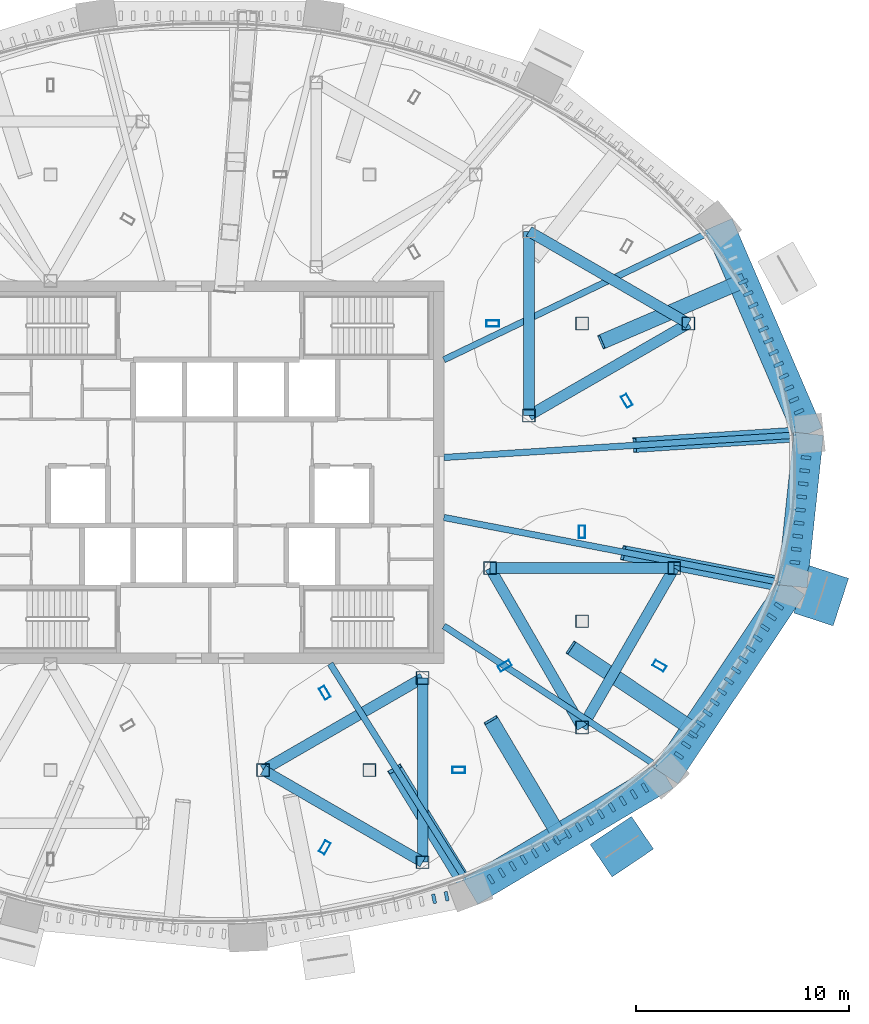
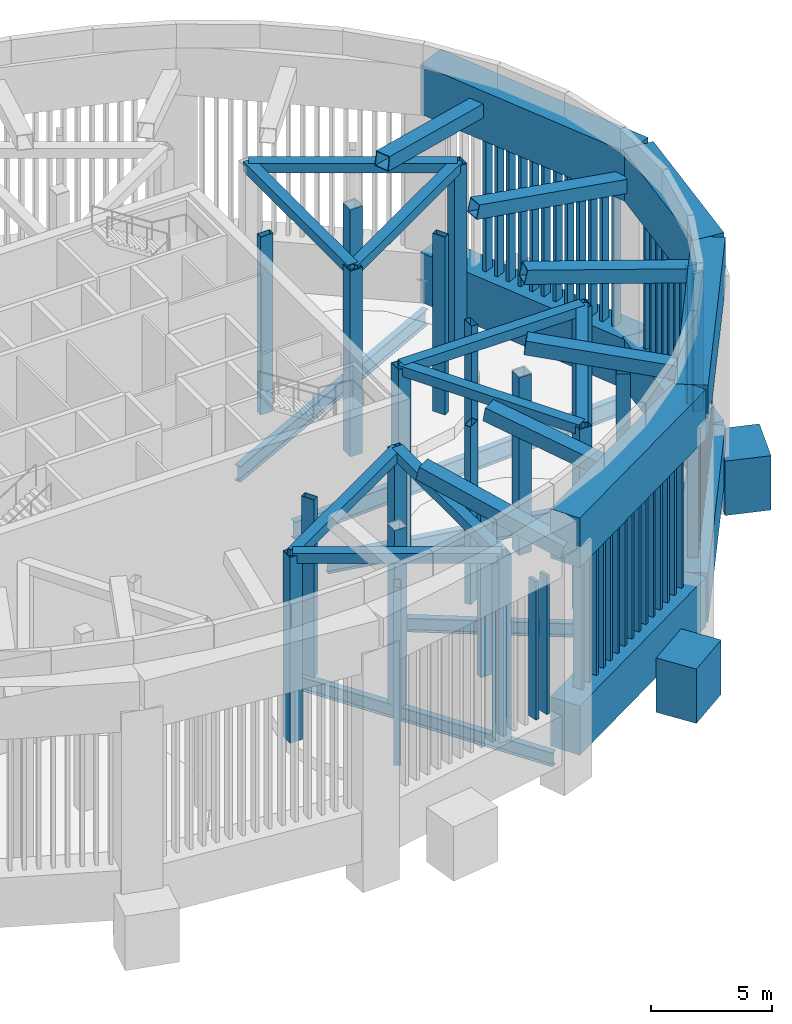
# One storey, part 3 of 14: 80 members, 22 beams.
"""IFC4 building model written with IfcOpenShell, lengths in metres."""

from ifc_helpers import new_model, si_unit, direction, frame, origin, origin_2d, place, context, subcontext, project, spatial, rectangle, hollow_rectangle, i_section, extrude, source, transform, mapped, material, material_profile, profile_set, type_object, element, save


model = new_model("IFC4")

# Units and contexts
model_context = context("Model", 3, precision=1e-05, world=origin(), true_north=direction((0.0, 1.0)))
body_context = subcontext(model_context, "Body", "Model", "MODEL_VIEW")
ifc_project = project(units=[si_unit("LENGTHUNIT", "METRE"), si_unit("AREAUNIT", "SQUARE_METRE"), si_unit("VOLUMEUNIT", "CUBIC_METRE"), si_unit("PLANEANGLEUNIT", "RADIAN"), si_unit("MASSUNIT", "GRAM", prefix="KILO")], contexts=[model_context])

# Site, building, storey
site_placement = place(None, origin())
site = spatial("IfcSite", under=ifc_project, at=site_placement, CompositionType="ELEMENT")
building_placement = place(site_placement, origin())
building = spatial("IfcBuilding", under=site, at=building_placement, Name="Embergate Tower", CompositionType="ELEMENT")
storey_placement = place(building_placement, frame((0.0, 0.0, 340.0)))
storey = spatial("IfcBuildingStorey", under=building, at=storey_placement, Name="L79", CompositionType="ELEMENT", Elevation=340.0)

# Beams
ifc_material_1 = material(Name="Steel Q355B", Category="steel")
ifc_material_profile_1 = material_profile(ifc_material_1, i_section(OverallWidth=0.300048828125, OverallDepth=0.89990234375, WebThickness=0.01611328125, FlangeThickness=0.028076171875, FilletRadius=0.028076171875, at=origin_2d()), Name="HN 900x300x16x28")
ifc_profile_set_1 = profile_set([ifc_material_profile_1], Name="Steel Q355 grade B")
beam_type_1 = type_object("IfcBeamType", Name="Plant girder HN 900x300x16x28", PredefinedType="BEAM", material=ifc_profile_set_1)
shared_shape_1 = source(origin(), body_context, "Body", "SweptSolid", [
    extrude(i_section(OverallWidth=0.300048828125, OverallDepth=0.89990234375, WebThickness=0.01611328125, FlangeThickness=0.028076171875, FilletRadius=0.028076171875, at=origin_2d()), origin(), (0.0, 0.0, 1.0), 16.58544921875),
])
beam_1_placement = place(storey_placement, frame((27.552001953125, 1.7509765625, -0.75), z_axis=(-0.997986328118, -0.063429400827, 0.0), x_axis=(0.063429400827, -0.997986328118, 0.0)))
element("IfcBeam", 1, at=beam_1_placement, inside=storey, type_object=beam_type_1, Name="GIR-L79-00", PredefinedType="BEAM", context=body_context, shape_type="MappedRepresentation", body=[
    mapped(shared_shape_1, transform((0.0, 0.0, 0.0))),
])
ifc_material_profile_2 = material_profile(ifc_material_1, i_section(OverallWidth=0.300048828125, OverallDepth=0.800048828125, WebThickness=0.013916015625, FlangeThickness=0.02587890625, FilletRadius=0.028076171875, at=origin_2d()), Name="HN 800x300x14x26")
ifc_profile_set_2 = profile_set([ifc_material_profile_2], Name="Steel Q355 grade B")
beam_type_2 = type_object("IfcBeamType", Name="Plant girder HN 800x300x14x26", PredefinedType="BEAM", material=ifc_profile_set_2)
shared_shape_2 = source(origin(), body_context, "Body", "SweptSolid", [
    extrude(i_section(OverallWidth=0.300048828125, OverallDepth=0.800048828125, WebThickness=0.013916015625, FlangeThickness=0.02587890625, FilletRadius=0.028076171875, at=origin_2d()), origin(), (0.0, 0.0, 1.0), 13.80419921875),
])
beam_2_placement = place(storey_placement, frame((23.43994140625, 11.27587890625, -0.699951171875), z_axis=(-0.901163418576, -0.433479518571, 0.0), x_axis=(0.433479518571, -0.901163418576, 0.0)))
element("IfcBeam", 2, at=beam_2_placement, inside=storey, type_object=beam_type_2, Name="GIR-L79-03", PredefinedType="BEAM", context=body_context, shape_type="MappedRepresentation", body=[
    mapped(shared_shape_2, transform((0.0, 0.0, 0.0))),
])
ifc_material_profile_3 = material_profile(ifc_material_1, i_section(OverallWidth=0.300048828125, OverallDepth=0.699951171875, WebThickness=0.012939453125, FlangeThickness=0.02392578125, FilletRadius=0.01806640625, at=origin_2d()), Name="HN 700x300x13x24")
ifc_profile_set_3 = profile_set([ifc_material_profile_3], Name="Steel Q355 grade B")
beam_type_3 = type_object("IfcBeamType", Name="Plant girder HN 700x300x13x24", PredefinedType="BEAM", material=ifc_profile_set_3)
shared_shape_3 = source(origin(), body_context, "Body", "SweptSolid", [
    extrude(i_section(OverallWidth=0.300048828125, OverallDepth=0.699951171875, WebThickness=0.012939453125, FlangeThickness=0.02392578125, FilletRadius=0.01806640625, at=origin_2d()), origin(), (0.0, 0.0, 1.0), 11.984375),
])
beam_3_placement = place(storey_placement, frame((12.02587890625, -19.14892578125, -0.64990234375), z_axis=(-0.531839826128, 0.846844967715, 0.0), x_axis=(-0.846844967715, -0.531839826128, 0.0)))
element("IfcBeam", 3, at=beam_3_placement, inside=storey, type_object=beam_type_3, Name="GIR-L79-36", PredefinedType="BEAM", context=body_context, shape_type="MappedRepresentation", body=[
    mapped(shared_shape_3, transform((0.0, 0.0, 0.0))),
])
shared_shape_4 = source(origin(), body_context, "Body", "SweptSolid", [
    extrude(i_section(OverallWidth=0.300048828125, OverallDepth=0.699951171875, WebThickness=0.012939453125, FlangeThickness=0.02392578125, FilletRadius=0.01806640625, at=origin_2d()), origin(), (0.0, 0.0, 1.0), 11.99169921875),
])
beam_4_placement = place(storey_placement, frame((21.02197265625, -13.81201171875, -0.64990234375), z_axis=(-0.835740183646, 0.549125072675, 0.0), x_axis=(-0.549125072675, -0.835740183646, 0.0)))
element("IfcBeam", 4, at=beam_4_placement, inside=storey, type_object=beam_type_3, Name="GIR-L79-39", PredefinedType="BEAM", context=body_context, shape_type="MappedRepresentation", body=[
    mapped(shared_shape_4, transform((0.0, 0.0, 0.0))),
])
shared_shape_5 = source(origin(), body_context, "Body", "SweptSolid", [
    extrude(i_section(OverallWidth=0.300048828125, OverallDepth=0.89990234375, WebThickness=0.01611328125, FlangeThickness=0.028076171875, FilletRadius=0.028076171875, at=origin_2d()), origin(), (0.0, 0.0, 1.0), 16.107421875),
])
beam_5_placement = place(storey_placement, frame((26.81591796875, -5.173095703125, -0.75), z_axis=(-0.981896875456, 0.189416276938, 0.0), x_axis=(-0.189416276938, -0.981896875456, 0.0)))
element("IfcBeam", 5, at=beam_5_placement, inside=storey, type_object=beam_type_1, Name="GIR-L79-42", PredefinedType="BEAM", context=body_context, shape_type="MappedRepresentation", body=[
    mapped(shared_shape_5, transform((0.0, 0.0, 0.0))),
])

# Members
ifc_material_2 = material(Name="Concrete C70", Category="concrete")
ifc_material_profile_4 = material_profile(ifc_material_2, rectangle(XDim=1.85009765625, YDim=2.35009765625, at=origin_2d()), Name="RC 1850x2350")
ifc_profile_set_4 = profile_set([ifc_material_profile_4], Name="Concrete C70")
member_type_1 = type_object("IfcMemberType", Name="Lattice node block RC 1850x2350", PredefinedType="POST", material=ifc_profile_set_4)
shared_shape_6 = source(origin(), body_context, "Body", "SweptSolid", [
    extrude(rectangle(XDim=1.85009765625, YDim=2.35009765625, at=origin_2d()), origin(), (0.0, 0.0, 1.0), 2.75),
])
member_1_placement = place(storey_placement, frame((19.365966796875, -17.60400390625, -1.375), z_axis=(0.0, 0.0, 1.0), x_axis=(0.560393279442, -0.828226643109, 0.0)))
element("IfcMember", 6, at=member_1_placement, inside=storey, type_object=member_type_1, Name="NOD-L79-38", PredefinedType="POST", context=body_context, shape_type="MappedRepresentation", body=[
    mapped(shared_shape_6, transform((0.0, 0.0, 0.0))),
])
ifc_material_profile_5 = material_profile(ifc_material_2, rectangle(XDim=1.949951171875, YDim=2.35009765625, at=origin_2d()), Name="RC 1950x2350")
ifc_profile_set_5 = profile_set([ifc_material_profile_5], Name="Concrete C70")
member_type_2 = type_object("IfcMemberType", Name="Lattice node block RC 1950x2350", PredefinedType="POST", material=ifc_profile_set_5)
shared_shape_7 = source(origin(), body_context, "Body", "SweptSolid", [
    extrude(rectangle(XDim=1.949951171875, YDim=2.35009765625, at=origin_2d()), origin(), (0.0, 0.0, 1.0), 2.75),
])
member_2_placement = place(storey_placement, frame((28.740966796875, -5.800048828125, -1.375), z_axis=(0.0, 0.0, 1.0), x_axis=(0.950754033697, -0.309946394413, 0.0)))
element("IfcMember", 7, at=member_2_placement, inside=storey, type_object=member_type_2, Name="NOD-L79-42", PredefinedType="POST", context=body_context, shape_type="MappedRepresentation", body=[
    mapped(shared_shape_7, transform((0.0, 0.0, 0.0))),
])
ifc_material_3 = material(Name="Steel Q355D", Category="steel")
ifc_material_profile_6 = material_profile(ifc_material_3, hollow_rectangle(XDim=0.699951171875, YDim=0.699951171875, WallThickness=0.031982421875, at=origin_2d()), Name="BOX 700x700x32")
ifc_profile_set_6 = profile_set([ifc_material_profile_6], Name="Steel Q355 grade D")
member_type_3 = type_object("IfcMemberType", Name="Glass point bearing strut BOX 700x700x32", PredefinedType="STRUT", material=ifc_profile_set_6)
shared_shape_8 = source(origin(), body_context, "Body", "SweptSolid", [
    extrude(hollow_rectangle(XDim=0.699951171875, YDim=0.699951171875, WallThickness=0.031982421875, at=origin_2d()), origin(), (0.0, 0.0, 1.0), 8.42724609375),
])
member_3_placement = place(storey_placement, frame((28.197998046875, 1.820068359375, 10.25), z_axis=(-0.976115636413, -0.063849909855, 0.207657057096), x_axis=(0.065272745383, -0.997867460493, 0.0)))
element("IfcMember", 8, at=member_3_placement, inside=storey, type_object=member_type_3, Name="CRN-L79-BS00", PredefinedType="STRUT", context=body_context, shape_type="MappedRepresentation", body=[
    mapped(shared_shape_8, transform((0.0, 0.0, 0.0))),
])
shared_shape_9 = source(origin(), body_context, "Body", "SweptSolid", [
    extrude(hollow_rectangle(XDim=0.699951171875, YDim=0.699951171875, WallThickness=0.031982421875, at=origin_2d()), origin(), (0.0, 0.0, 1.0), 7.3681640625),
])
member_4_placement = place(storey_placement, frame((25.095947265625, 9.013916015625, 10.89990234375), z_axis=(-0.907960894599, -0.391554408126, 0.149305590507), x_axis=(0.395993054433, -0.91825350576, 0.0)))
element("IfcMember", 9, at=member_4_placement, inside=storey, type_object=member_type_3, Name="CRN-L79-BS01", PredefinedType="STRUT", context=body_context, shape_type="MappedRepresentation", body=[
    mapped(shared_shape_9, transform((0.0, 0.0, 0.0))),
])
shared_shape_10 = source(origin(), body_context, "Body", "SweptSolid", [
    extrude(hollow_rectangle(XDim=0.699951171875, YDim=0.699951171875, WallThickness=0.031982421875, at=origin_2d()), origin(), (0.0, 0.0, 1.0), 7.031005859375),
])
member_5_placement = place(storey_placement, frame((12.251953125, -19.758056640625, 10.25), z_axis=(-0.506329140877, 0.825640811396, 0.248893655315), x_axis=(-0.852467257379, -0.522780618517, 0.0)))
element("IfcMember", 10, at=member_5_placement, inside=storey, type_object=member_type_3, Name="CRN-L79-BS18", PredefinedType="STRUT", context=body_context, shape_type="MappedRepresentation", body=[
    mapped(shared_shape_10, transform((0.0, 0.0, 0.0))),
])
shared_shape_11 = source(origin(), body_context, "Body", "SweptSolid", [
    extrude(hollow_rectangle(XDim=0.699951171875, YDim=0.699951171875, WallThickness=0.031982421875, at=origin_2d()), origin(), (0.0, 0.0, 1.0), 6.578857421875),
])
member_6_placement = place(storey_placement, frame((16.51708984375, -17.22705078125, 10.89990234375), z_axis=(-0.503131040562, 0.847878596751, 0.167215553088), x_axis=(-0.859986901622, -0.510316106976, 0.0)))
element("IfcMember", 11, at=member_6_placement, inside=storey, type_object=member_type_3, Name="CRN-L79-BS19", PredefinedType="STRUT", context=body_context, shape_type="MappedRepresentation", body=[
    mapped(shared_shape_11, transform((0.0, 0.0, 0.0))),
])
shared_shape_12 = source(origin(), body_context, "Body", "SweptSolid", [
    extrude(hollow_rectangle(XDim=0.699951171875, YDim=0.699951171875, WallThickness=0.031982421875, at=origin_2d()), origin(), (0.0, 0.0, 1.0), 7.181640625),
])
member_7_placement = place(storey_placement, frame((22.866943359375, -12.18994140625, 10.89990234375), z_axis=(-0.820988647415, 0.550011400684, 0.153183223406), x_axis=(-0.556580270055, -0.830793839039, 0.0)))
element("IfcMember", 12, at=member_7_placement, inside=storey, type_object=member_type_3, Name="CRN-L79-BS20", PredefinedType="STRUT", context=body_context, shape_type="MappedRepresentation", body=[
    mapped(shared_shape_12, transform((0.0, 0.0, 0.0))),
])
shared_shape_13 = source(origin(), body_context, "Body", "SweptSolid", [
    extrude(hollow_rectangle(XDim=0.699951171875, YDim=0.699951171875, WallThickness=0.031982421875, at=origin_2d()), origin(), (0.0, 0.0, 1.0), 8.3427734375),
])
member_8_placement = place(storey_placement, frame((27.43408203125, -5.3740234375, 10.25), z_axis=(-0.959041606409, 0.190362676971, 0.209764745354), x_axis=(-0.194694256891, -0.980863979527, 0.0)))
element("IfcMember", 13, at=member_8_placement, inside=storey, type_object=member_type_3, Name="CRN-L79-BS21", PredefinedType="STRUT", context=body_context, shape_type="MappedRepresentation", body=[
    mapped(shared_shape_13, transform((0.0, 0.0, 0.0))),
])
ifc_material_profile_7 = material_profile(ifc_material_3, hollow_rectangle(XDim=0.60009765625, YDim=0.60009765625, WallThickness=0.028076171875, at=origin_2d()), Name="BOX 600x600x28")
ifc_profile_set_7 = profile_set([ifc_material_profile_7], Name="Steel Q355 grade D")
member_type_4 = type_object("IfcMemberType", Name="Turbine frame post BOX 600x600x28", PredefinedType="POST", material=ifc_profile_set_7)
shared_shape_14 = source(origin(), body_context, "Body", "SweptSolid", [
    extrude(hollow_rectangle(XDim=0.60009765625, YDim=0.60009765625, WallThickness=0.028076171875, at=origin_2d()), origin(), (0.0, 0.0, 1.0), 9.39990234375),
])
for number, where, z_axis, x_axis, name in (
    (14, (15.0, 2.669921875, 0.60009765625), (0.0, 0.0, 1.0), (1.0, 0.0, 0.0), "TUR-L79-PS012"),
    (15, (22.5, 7.0, 0.60009765625), (0.0, 0.0, 1.0), (1.0, 0.0, 0.0), "TUR-L79-PS013"),
    (16, (13.169921875, -4.5, 0.60009765625), (0.0, 0.0, 1.0), (1.0, 0.0, 0.0), "TUR-L79-PS021"),
    (17, (17.5, -12.0, 0.60009765625), (0.0, 0.0, 1.0), (1.0, 0.0, 0.0), "TUR-L79-PS022"),
    (18, (21.830078125, -4.5, 0.60009765625), (0.0, 0.0, 1.0), (1.0, 0.0, 0.0), "TUR-L79-PS023"),
    (19, (10.0, -18.330078125, 0.60009765625), (0.0, 0.0, 1.0), (1.0, 0.0, 0.0), "TUR-L79-PS071"),
    (20, (10.0, -9.669921875, 0.60009765625), (0.0, 0.0, 1.0), (1.0, 0.0, 0.0), "TUR-L79-PS072"),
    (21, (2.5, -14.0, 0.60009765625), (0.0, 0.0, 1.0), (1.0, 0.0, 0.0), "TUR-L79-PS073"),
):
    element("IfcMember", number, at=place(storey_placement, frame(where, z_axis=z_axis, x_axis=x_axis)), inside=storey, type_object=member_type_4, Name=name, PredefinedType="POST", context=body_context, shape_type="MappedRepresentation", body=[
        mapped(shared_shape_14, transform((0.0, 0.0, 0.0))),
    ])

# Beams
ifc_material_profile_8 = material_profile(ifc_material_3, hollow_rectangle(XDim=0.5, YDim=0.5, WallThickness=0.02490234375, at=origin_2d()), Name="BOX 500x500x25")
ifc_profile_set_8 = profile_set([ifc_material_profile_8], Name="Steel Q355 grade D")
beam_type_4 = type_object("IfcBeamType", Name="Turbine frame head beam BOX 500x500x25", PredefinedType="BEAM", material=ifc_profile_set_8)
shared_shape_15 = source(origin(), body_context, "Body", "SweptSolid", [
    extrude(hollow_rectangle(XDim=0.5, YDim=0.5, WallThickness=0.02490234375, at=origin_2d()), origin(), (0.0, 0.0, 1.0), 8.66015625),
])
for number, where, z_axis, x_axis, name in (
    (22, (15.0, 11.330078125, 9.85009765625), (0.0, -1.0, 0.0), (1.0, 0.0, 0.0), "TUR-L79-HB011"),
    (23, (15.0, 2.669921875, 9.85009765625), (0.866027848477, 0.499995765644, 0.0), (-0.499995765644, 0.866027848477, 0.0), "TUR-L79-HB012"),
    (24, (22.5, 7.0, 9.85009765625), (-0.866027848477, 0.499995765644, 0.0), (-0.499995765644, -0.866027848477, 0.0), "TUR-L79-HB013"),
    (25, (13.169921875, -4.5, 9.85009765625), (0.499995765644, -0.866027848477, 0.0), (0.866027848477, 0.499995765644, 0.0), "TUR-L79-HB021"),
    (26, (17.5, -12.0, 9.85009765625), (0.499995765644, 0.866027848477, 0.0), (-0.866027848477, 0.499995765644, 0.0), "TUR-L79-HB022"),
    (27, (21.830078125, -4.5, 9.85009765625), (-1.0, 0.0, 0.0), (0.0, -1.0, 0.0), "TUR-L79-HB023"),
    (28, (10.0, -18.330078125, 9.85009765625), (0.0, 1.0, 0.0), (-1.0, 0.0, 0.0), "TUR-L79-HB071"),
    (29, (10.0, -9.669921875, 9.85009765625), (-0.866027848477, -0.499995765644, 0.0), (0.499995765644, -0.866027848477, 0.0), "TUR-L79-HB072"),
    (30, (2.5, -14.0, 9.85009765625), (0.866027848477, -0.499995765644, 0.0), (0.499995765644, 0.866027848477, 0.0), "TUR-L79-HB073"),
):
    element("IfcBeam", number, at=place(storey_placement, frame(where, z_axis=z_axis, x_axis=x_axis)), inside=storey, type_object=beam_type_4, Name=name, PredefinedType="BEAM", context=body_context, shape_type="MappedRepresentation", body=[
        mapped(shared_shape_15, transform((0.0, 0.0, 0.0))),
    ])

# Members
ifc_material_profile_9 = material_profile(ifc_material_3, hollow_rectangle(XDim=0.60009765625, YDim=0.60009765625, WallThickness=0.028076171875, at=origin_2d()), Name="BOX 600x600x28")
ifc_profile_set_9 = profile_set([ifc_material_profile_9], Name="Steel Q355 grade D")
member_type_5 = type_object("IfcMemberType", Name="Turbine rotor shaft BOX 600x600x28", PredefinedType="POST", material=ifc_profile_set_9)
shared_shape_16 = source(origin(), body_context, "Body", "SweptSolid", [
    extrude(hollow_rectangle(XDim=0.60009765625, YDim=0.60009765625, WallThickness=0.028076171875, at=origin_2d()), origin(), (0.0, 0.0, 1.0), 9.0),
])
for number, where, z_axis, x_axis, name in (
    (31, (17.5, 7.0, 0.60009765625), (0.0, 0.0, 1.0), (1.0, 0.0, 0.0), "TUR-L79-SH01"),
    (32, (17.5, -7.0, 0.60009765625), (0.0, 0.0, 1.0), (1.0, 0.0, 0.0), "TUR-L79-SH02"),
    (33, (7.5, -14.0, 0.60009765625), (0.0, 0.0, 1.0), (1.0, 0.0, 0.0), "TUR-L79-SH07"),
):
    element("IfcMember", number, at=place(storey_placement, frame(where, z_axis=z_axis, x_axis=x_axis)), inside=storey, type_object=member_type_5, Name=name, PredefinedType="POST", context=body_context, shape_type="MappedRepresentation", body=[
        mapped(shared_shape_16, transform((0.0, 0.0, 0.0))),
    ])
ifc_material_profile_10 = material_profile(ifc_material_3, hollow_rectangle(XDim=0.300048828125, YDim=0.60009765625, WallThickness=0.01611328125, at=origin_2d()), Name="BOX 600x300x16")
ifc_profile_set_10 = profile_set([ifc_material_profile_10], Name="Steel Q355 grade D")
member_type_6 = type_object("IfcMemberType", Name="Turbine rotor blade BOX 600x300x16", PredefinedType="POST", material=ifc_profile_set_10)
shared_shape_17 = source(origin(), body_context, "Body", "SweptSolid", [
    extrude(hollow_rectangle(XDim=0.300048828125, YDim=0.60009765625, WallThickness=0.01611328125, at=origin_2d()), origin(), (0.0, 0.0, 1.0), 9.0),
])
for number, where, z_axis, x_axis, name in (
    (34, (13.300048828125, 7.0, 0.60009765625), (0.0, 0.0, 1.0), (0.0, -1.0, 0.0), "TUR-L79-BL012"),
    (35, (19.60009765625, 3.363037109375, 0.60009765625), (0.0, 0.0, 1.0), (0.866025403784, 0.5, 0.0), "TUR-L79-BL013"),
    (36, (17.5, -2.800048828125, 0.60009765625), (0.0, 0.0, 1.0), (-1.0, 0.0, 0.0), "TUR-L79-BL021"),
    (37, (13.863037109375, -9.10009765625, 0.60009765625), (0.0, 0.0, 1.0), (0.5, -0.866025403784, 0.0), "TUR-L79-BL022"),
    (38, (21.136962890625, -9.10009765625, 0.60009765625), (0.0, 0.0, 1.0), (0.5, 0.866025403784, 0.0), "TUR-L79-BL023"),
    (39, (5.39990234375, -17.636962890625, 0.60009765625), (0.0, 0.0, 1.0), (0.866025403784, -0.5, 0.0), "TUR-L79-BL071"),
    (40, (11.699951171875, -14.0, 0.60009765625), (0.0, 0.0, 1.0), (0.0, 1.0, 0.0), "TUR-L79-BL072"),
    (41, (5.39990234375, -10.363037109375, 0.60009765625), (0.0, 0.0, 1.0), (-0.866025403784, -0.5, 0.0), "TUR-L79-BL073"),
):
    element("IfcMember", number, at=place(storey_placement, frame(where, z_axis=z_axis, x_axis=x_axis)), inside=storey, type_object=member_type_6, Name=name, PredefinedType="POST", context=body_context, shape_type="MappedRepresentation", body=[
        mapped(shared_shape_17, transform((0.0, 0.0, 0.0))),
    ])

# Beams
ifc_material_4 = material(Name="Concrete C50", Category="concrete")
ifc_material_profile_11 = material_profile(ifc_material_4, rectangle(XDim=1.39990234375, YDim=2.5, at=origin_2d()), Name="RC 1400x2500")
ifc_profile_set_11 = profile_set([ifc_material_profile_11], Name="Concrete C50")
beam_type_5 = type_object("IfcBeamType", Name="Slot ring beam RC 1400x2500", PredefinedType="BEAM", material=ifc_profile_set_11)
shared_shape_18 = source(origin(), body_context, "Body", "SweptSolid", [
    extrude(rectangle(XDim=1.39990234375, YDim=2.5, at=origin_2d()), origin(), (0.0, 0.0, 1.0), 10.717041015625),
])
for number, where, z_axis, x_axis, name in (
    (42, (28.14892578125, 1.81396484375, 1.25), (-0.395991311102, 0.918254257563, 0.0), (-0.918254257563, -0.395991311102, 0.0), "RNG-L79-LO00"),
    (43, (28.14892578125, 1.81396484375, 10.75), (-0.395991311102, 0.918254257563, 0.0), (-0.918254257563, -0.395991311102, 0.0), "RNG-L79-UP00"),
):
    element("IfcBeam", number, at=place(storey_placement, frame(where, z_axis=z_axis, x_axis=x_axis)), inside=storey, type_object=beam_type_5, Name=name, PredefinedType="BEAM", context=body_context, shape_type="MappedRepresentation", body=[
        mapped(shared_shape_18, transform((0.0, 0.0, 0.0))),
    ])
shared_shape_19 = source(origin(), body_context, "Body", "SweptSolid", [
    extrude(rectangle(XDim=1.39990234375, YDim=2.5, at=origin_2d()), origin(), (0.0, 0.0, 1.0), 10.684814453125),
])
for number, where, z_axis, x_axis, name in (
    (44, (12.235107421875, -19.7109375, 1.25), (0.859916802246, 0.510434220263, 0.0), (-0.510434220263, 0.859916802246, 0.0), "RNG-L79-LO36"),
    (45, (12.235107421875, -19.7109375, 10.75), (0.859916802246, 0.510434220263, 0.0), (-0.510434220263, 0.859916802246, 0.0), "RNG-L79-UP36"),
):
    element("IfcBeam", number, at=place(storey_placement, frame(where, z_axis=z_axis, x_axis=x_axis)), inside=storey, type_object=beam_type_5, Name=name, PredefinedType="BEAM", context=body_context, shape_type="MappedRepresentation", body=[
        mapped(shared_shape_19, transform((0.0, 0.0, 0.0))),
    ])
shared_shape_20 = source(origin(), body_context, "Body", "SweptSolid", [
    extrude(rectangle(XDim=1.39990234375, YDim=2.5, at=origin_2d()), origin(), (0.0, 0.0, 1.0), 10.71142578125),
])
for number, where, z_axis, x_axis, name in (
    (46, (21.423095703125, -14.257080078125, 1.25), (0.556686829925, 0.830722440643, 0.0), (-0.830722440643, 0.556686829925, 0.0), "RNG-L79-LO39"),
    (47, (21.423095703125, -14.257080078125, 10.75), (0.556686829925, 0.830722440643, 0.0), (-0.830722440643, 0.556686829925, 0.0), "RNG-L79-UP39"),
):
    element("IfcBeam", number, at=place(storey_placement, frame(where, z_axis=z_axis, x_axis=x_axis)), inside=storey, type_object=beam_type_5, Name=name, PredefinedType="BEAM", context=body_context, shape_type="MappedRepresentation", body=[
        mapped(shared_shape_20, transform((0.0, 0.0, 0.0))),
    ])
shared_shape_21 = source(origin(), body_context, "Body", "SweptSolid", [
    extrude(rectangle(XDim=1.39990234375, YDim=2.5, at=origin_2d()), origin(), (0.0, 0.0, 1.0), 7.21337890625),
])
for number, where, z_axis, x_axis, name in (
    (48, (27.385986328125, -5.35888671875, 1.25), (0.105768252937, 0.994390806811, 0.0), (-0.994390806811, 0.105768252937, 0.0), "RNG-L79-LO42"),
    (49, (27.385986328125, -5.35888671875, 10.75), (0.105768252937, 0.994390806811, 0.0), (-0.994390806811, 0.105768252937, 0.0), "RNG-L79-UP42"),
):
    element("IfcBeam", number, at=place(storey_placement, frame(where, z_axis=z_axis, x_axis=x_axis)), inside=storey, type_object=beam_type_5, Name=name, PredefinedType="BEAM", context=body_context, shape_type="MappedRepresentation", body=[
        mapped(shared_shape_21, transform((0.0, 0.0, 0.0))),
    ])

# Members
ifc_material_5 = material(Name="Terracotta, extruded and glazed", Category="masonry")
ifc_material_profile_12 = material_profile(ifc_material_5, rectangle(XDim=0.449951171875, YDim=0.159912109375, at=origin_2d()), Name="TC 450x160")
ifc_profile_set_12 = profile_set([ifc_material_profile_12], Name="Terracotta, extruded and glazed")
member_type_7 = type_object("IfcMemberType", Name="Terracotta slot fin", PredefinedType="USERDEFINED", material=ifc_profile_set_12)
shared_shape_22 = source(origin(), body_context, "Body", "SweptSolid", [
    extrude(rectangle(XDim=0.449951171875, YDim=0.159912109375, at=origin_2d()), origin(), (0.0, 0.0, 1.0), 7.00390625),
])
for number, where, z_axis, x_axis, name in (
    (50, (27.701416015625, 2.8515625, 2.498046875), (0.0, 0.0, 1.0), (-0.918249515944, -0.396002306141, 0.0), "Slot fin 1.1"),
    (51, (27.46240234375, 3.40625, 2.498046875), (0.0, 0.0, 1.0), (-0.918249515944, -0.396002306141, 0.0), "Slot fin 1.2"),
    (52, (27.22314453125, 3.9609375, 2.498046875), (0.0, 0.0, 1.0), (-0.918249515944, -0.396002306141, 0.0), "Slot fin 1.3"),
    (53, (26.98388671875, 4.515625, 2.498046875), (0.0, 0.0, 1.0), (-0.918249515944, -0.396002306141, 0.0), "Slot fin 1.4"),
    (54, (26.74462890625, 5.0703125, 2.498046875), (0.0, 0.0, 1.0), (-0.918249515944, -0.396002306141, 0.0), "Slot fin 1.5"),
    (55, (26.50537109375, 5.625, 2.498046875), (0.0, 0.0, 1.0), (-0.918249515944, -0.396002306141, 0.0), "Slot fin 1.6"),
    (56, (26.26611328125, 6.1796875, 2.498046875), (0.0, 0.0, 1.0), (-0.918249515944, -0.396002306141, 0.0), "Slot fin 1.7"),
    (57, (26.027099609375, 6.734619140625, 2.498046875), (0.0, 0.0, 1.0), (-0.918249515944, -0.396002306141, 0.0), "Slot fin 1.8"),
    (58, (25.787841796875, 7.289306640625, 2.498046875), (0.0, 0.0, 1.0), (-0.918249515944, -0.396002306141, 0.0), "Slot fin 1.9"),
    (59, (25.548583984375, 7.843994140625, 2.498046875), (0.0, 0.0, 1.0), (-0.918249515944, -0.396002306141, 0.0), "Slot fin 1.10"),
    (60, (25.309326171875, 8.398681640625, 2.498046875), (0.0, 0.0, 1.0), (-0.918249515944, -0.396002306141, 0.0), "Slot fin 1.11"),
    (61, (25.070068359375, 8.953369140625, 2.498046875), (0.0, 0.0, 1.0), (-0.918249515944, -0.396002306141, 0.0), "Slot fin 1.12"),
    (62, (10.5390625, -20.053466796875, 2.498046875), (0.0, 0.0, 1.0), (-0.197955027156, 0.980211103397, 0.0), "Slot fin 34.14"),
    (63, (11.12744140625, -19.934814453125, 2.498046875), (0.0, 0.0, 1.0), (-0.197955027156, 0.980211103397, 0.0), "Slot fin 34.15"),
    (64, (13.206787109375, -19.13427734375, 2.498046875), (0.0, 0.0, 1.0), (-0.510443866653, 0.859911076214, 0.0), "Slot fin 37.1"),
    (65, (13.72412109375, -18.826904296875, 2.498046875), (0.0, 0.0, 1.0), (-0.510443866653, 0.859911076214, 0.0), "Slot fin 37.2"),
    (66, (14.24169921875, -18.52001953125, 2.498046875), (0.0, 0.0, 1.0), (-0.510443866653, 0.859911076214, 0.0), "Slot fin 37.3"),
    (67, (14.759033203125, -18.212646484375, 2.498046875), (0.0, 0.0, 1.0), (-0.510443866653, 0.859911076214, 0.0), "Slot fin 37.4"),
    (68, (15.276611328125, -17.905517578125, 2.498046875), (0.0, 0.0, 1.0), (-0.510443866653, 0.859911076214, 0.0), "Slot fin 37.5"),
    (69, (15.794189453125, -17.598388671875, 2.498046875), (0.0, 0.0, 1.0), (-0.510443866653, 0.859911076214, 0.0), "Slot fin 37.6"),
    (70, (16.3115234375, -17.291259765625, 2.498046875), (0.0, 0.0, 1.0), (-0.510443866653, 0.859911076214, 0.0), "Slot fin 37.7"),
    (71, (16.8291015625, -16.98388671875, 2.498046875), (0.0, 0.0, 1.0), (-0.510443866653, 0.859911076214, 0.0), "Slot fin 37.8"),
    (72, (17.346435546875, -16.6767578125, 2.498046875), (0.0, 0.0, 1.0), (-0.510443866653, 0.859911076214, 0.0), "Slot fin 37.9"),
    (73, (17.864013671875, -16.36962890625, 2.498046875), (0.0, 0.0, 1.0), (-0.510443866653, 0.859911076214, 0.0), "Slot fin 37.10"),
    (74, (18.38134765625, -16.0625, 2.498046875), (0.0, 0.0, 1.0), (-0.510443866653, 0.859911076214, 0.0), "Slot fin 37.11"),
    (75, (18.89892578125, -15.75537109375, 2.498046875), (0.0, 0.0, 1.0), (-0.510443866653, 0.859911076214, 0.0), "Slot fin 37.12"),
    (76, (19.41650390625, -15.447998046875, 2.498046875), (0.0, 0.0, 1.0), (-0.510443866653, 0.859911076214, 0.0), "Slot fin 37.13"),
    (77, (19.933837890625, -15.14111328125, 2.498046875), (0.0, 0.0, 1.0), (-0.510443866653, 0.859911076214, 0.0), "Slot fin 37.14"),
    (78, (20.451416015625, -14.833740234375, 2.498046875), (0.0, 0.0, 1.0), (-0.510443866653, 0.859911076214, 0.0), "Slot fin 37.15"),
    (79, (22.052001953125, -13.318359375, 2.498046875), (0.0, 0.0, 1.0), (-0.830712512734, 0.556701644677, 0.0), "Slot fin 40.1"),
    (80, (22.38818359375, -12.81689453125, 2.498046875), (0.0, 0.0, 1.0), (-0.830712512734, 0.556701644677, 0.0), "Slot fin 40.2"),
    (81, (22.72412109375, -12.3154296875, 2.498046875), (0.0, 0.0, 1.0), (-0.830712512734, 0.556701644677, 0.0), "Slot fin 40.3"),
    (82, (23.060302734375, -11.81396484375, 2.498046875), (0.0, 0.0, 1.0), (-0.830712512734, 0.556701644677, 0.0), "Slot fin 40.4"),
    (83, (23.396240234375, -11.3125, 2.498046875), (0.0, 0.0, 1.0), (-0.830712512734, 0.556701644677, 0.0), "Slot fin 40.5"),
    (84, (23.732421875, -10.810791015625, 2.498046875), (0.0, 0.0, 1.0), (-0.830712512734, 0.556701644677, 0.0), "Slot fin 40.6"),
    (85, (24.068359375, -10.3095703125, 2.498046875), (0.0, 0.0, 1.0), (-0.830712512734, 0.556701644677, 0.0), "Slot fin 40.7"),
    (86, (24.404541015625, -9.80810546875, 2.498046875), (0.0, 0.0, 1.0), (-0.830712512734, 0.556701644677, 0.0), "Slot fin 40.8"),
    (87, (24.740478515625, -9.306396484375, 2.498046875), (0.0, 0.0, 1.0), (-0.830712512734, 0.556701644677, 0.0), "Slot fin 40.9"),
    (88, (25.07666015625, -8.80517578125, 2.498046875), (0.0, 0.0, 1.0), (-0.830712512734, 0.556701644677, 0.0), "Slot fin 40.10"),
    (89, (25.41259765625, -8.3037109375, 2.498046875), (0.0, 0.0, 1.0), (-0.830712512734, 0.556701644677, 0.0), "Slot fin 40.11"),
    (90, (25.748779296875, -7.802001953125, 2.498046875), (0.0, 0.0, 1.0), (-0.830712512734, 0.556701644677, 0.0), "Slot fin 40.12"),
    (91, (26.084716796875, -7.300537109375, 2.498046875), (0.0, 0.0, 1.0), (-0.830712512734, 0.556701644677, 0.0), "Slot fin 40.13"),
    (92, (26.4208984375, -6.79931640625, 2.498046875), (0.0, 0.0, 1.0), (-0.830712512734, 0.556701644677, 0.0), "Slot fin 40.14"),
    (93, (26.7568359375, -6.297607421875, 2.498046875), (0.0, 0.0, 1.0), (-0.830712512734, 0.556701644677, 0.0), "Slot fin 40.15"),
    (94, (27.505615234375, -4.2353515625, 2.498046875), (0.0, 0.0, 1.0), (-0.994390125048, 0.105774662403, 0.0), "Slot fin 43.1"),
    (95, (27.571044921875, -3.61962890625, 2.498046875), (0.0, 0.0, 1.0), (-0.994390125048, 0.105774662403, 0.0), "Slot fin 43.2"),
    (96, (27.636474609375, -3.00390625, 2.498046875), (0.0, 0.0, 1.0), (-0.994390125048, 0.105774662403, 0.0), "Slot fin 43.3"),
    (97, (27.701904296875, -2.38818359375, 2.498046875), (0.0, 0.0, 1.0), (-0.994390125048, 0.105774662403, 0.0), "Slot fin 43.4"),
    (98, (27.767578125, -1.7724609375, 2.498046875), (0.0, 0.0, 1.0), (-0.994390125048, 0.105774662403, 0.0), "Slot fin 43.5"),
    (99, (27.8330078125, -1.15673828125, 2.498046875), (0.0, 0.0, 1.0), (-0.994390125048, 0.105774662403, 0.0), "Slot fin 43.6"),
    (100, (27.8984375, -0.541015625, 2.498046875), (0.0, 0.0, 1.0), (-0.994390125048, 0.105774662403, 0.0), "Slot fin 43.7"),
    (101, (27.964111328125, 0.07470703125, 2.498046875), (0.0, 0.0, 1.0), (-0.994390125048, 0.105774662403, 0.0), "Slot fin 43.8"),
    (102, (28.029541015625, 0.690185546875, 2.498046875), (0.0, 0.0, 1.0), (-0.994390125048, 0.105774662403, 0.0), "Slot fin 43.9"),
):
    element("IfcMember", number, at=place(storey_placement, frame(where, z_axis=z_axis, x_axis=x_axis)), inside=storey, type_object=member_type_7, Name=name, ObjectType="FIN", PredefinedType="USERDEFINED", context=body_context, shape_type="MappedRepresentation", body=[
        mapped(shared_shape_22, transform((0.0, 0.0, 0.0))),
    ])

save(model, "model.ifc")
